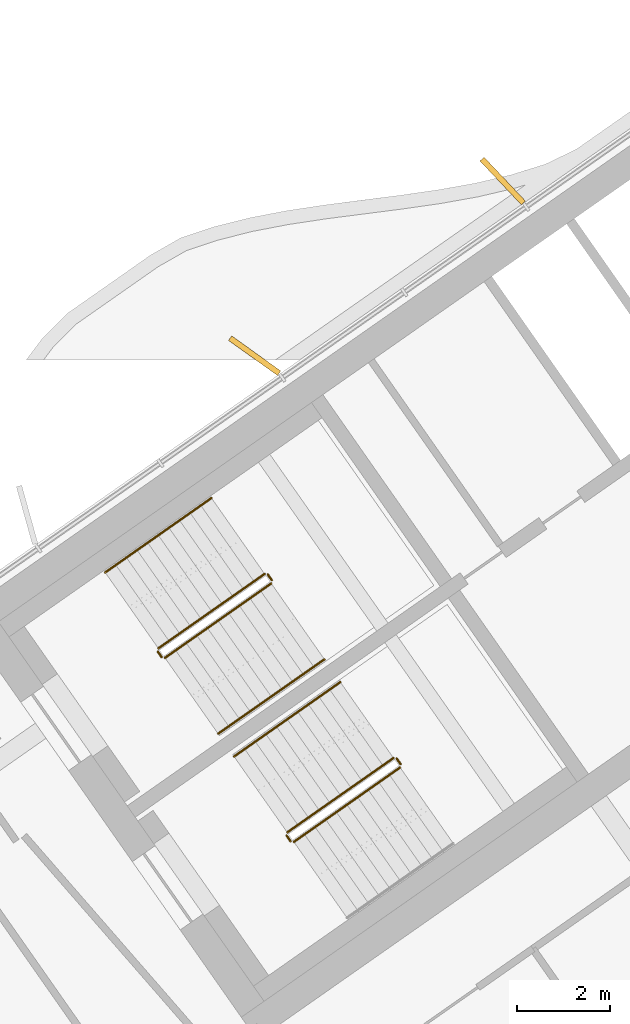
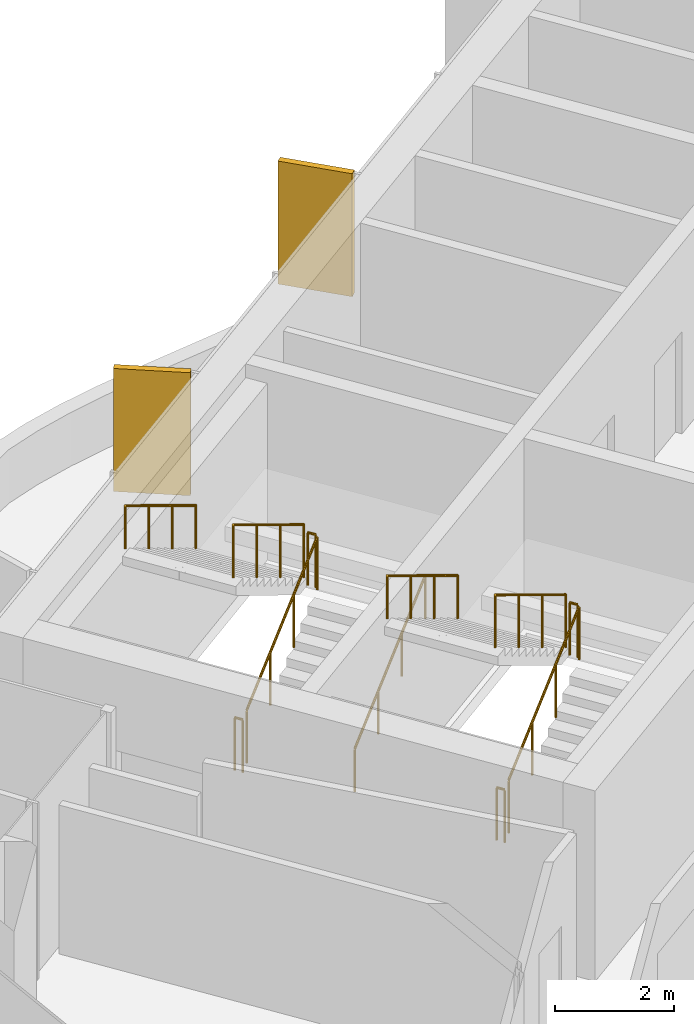
# One storey, part 14 of 17: 11 railings, 2 shading devices.
"""IFC4 building model written with IfcOpenShell, lengths in metres."""

from ifc_helpers import new_model, si_unit, direction, frame, origin, origin_2d, place, context, subcontext, project, spatial, rectangle, circle, extrude, material, layer, layer_set, type_object, element, save


model = new_model("IFC4")

# Units and contexts
model_context = context("Model", 3, precision=1e-05, world=origin(), true_north=direction((0.0, 1.0)))
body_context = subcontext(model_context, "Body", "Model", "MODEL_VIEW")
ifc_project = project(units=[si_unit("LENGTHUNIT", "METRE"), si_unit("AREAUNIT", "SQUARE_METRE"), si_unit("VOLUMEUNIT", "CUBIC_METRE"), si_unit("PLANEANGLEUNIT", "RADIAN"), si_unit("MASSUNIT", "GRAM", prefix="KILO")], contexts=[model_context])

# Site, building, storey
site_placement = place(None, origin())
site = spatial("IfcSite", under=ifc_project, at=site_placement, CompositionType="ELEMENT")
building_placement = place(site_placement, origin())
building = spatial("IfcBuilding", under=site, at=building_placement, Name="Tel Ilan Convention Tower", CompositionType="ELEMENT")
storey_placement = place(building_placement, frame((0.0, 0.0, 283.89990234375)))
storey = spatial("IfcBuildingStorey", under=building, at=storey_placement, Name="L67", CompositionType="ELEMENT", Elevation=283.89990234375)

# Shading devices
ifc_material_1 = material(Name="Aluminium, bronze anodised", Category="aluminium")
ifc_layer = layer(ifc_material_1, 0.1201171875)
ifc_layer_set = layer_set([ifc_layer], Name="FIN BRONZE 1300x120")
shading_device_type = type_object("IfcShadingDeviceType", Name="FIN BRONZE 1300x120", PredefinedType="USERDEFINED", material=ifc_layer_set)
for number, where, z_axis, x_axis, name in (
    (1, (-16.24658203125, 2.2373046875, 1.10009765625), (0.0, 0.0, 1.0), (-0.686241637865, 0.727373641577, 0.0), "FIN"),
    (2, (-21.600830078125, -1.534912109375, 1.10009765625), (0.0, 0.0, 1.0), (-0.813552070258, 0.581492071294, 0.0), "FIN"),
):
    element("IfcShadingDevice", number, at=place(storey_placement, frame(where, z_axis=z_axis, x_axis=x_axis)), inside=storey, type_object=shading_device_type, Name=name, ObjectType="FIN", PredefinedType="USERDEFINED", context=body_context, shape_type="SweptSolid", body=[
        extrude(rectangle(XDim=1.300048828125, YDim=0.1201171875, at=origin_2d()), origin(), (0.0, 0.0, 1.0), 2.52001953125),
    ])

# Railings
ifc_material_2 = material(Name="Stainless Steel Grade 316", Category="steel")
railing_type_1 = type_object("IfcRailingType", Name="Stainless Steel Stair Guard 1100 mm", PredefinedType="GUARDRAIL", material=ifc_material_2)
railing_1_placement = place(storey_placement, frame((-23.535400390625, -8.056396484375, 0.177490234375)))
element("IfcRailing", 3, at=railing_1_placement, inside=storey, type_object=railing_type_1, Name="L67 S1 stair guard 1", PredefinedType="GUARDRAIL", context=body_context, shape_type="SweptSolid", body=[
    extrude(circle(Radius=0.02392578125, at=origin_2d()), frame((0.0, 0.0, 1.076171875), z_axis=(0.692098378994, 0.484653031975, 0.534893701956), x_axis=(-0.573608623498, 0.819129505664, 0.0)), (0.0, 0.0, 1.0), 3.314208984375),
    extrude(circle(Radius=0.02099609375, at=origin_2d()), origin(), (0.0, 0.0, 1.0), 1.052001953125),
    extrude(circle(Radius=0.02099609375, at=origin_2d()), frame((0.7646484375, 0.535400390625, 0.5908203125)), (0.0, 0.0, 1.0), 1.052001953125),
    extrude(circle(Radius=0.02099609375, at=origin_2d()), frame((1.529052734375, 1.07080078125, 1.181884765625)), (0.0, 0.0, 1.0), 1.052001953125),
    extrude(circle(Radius=0.02099609375, at=origin_2d()), frame((2.293701171875, 1.606201171875, 1.772705078125)), (0.0, 0.0, 1.0), 1.052001953125),
])
railing_2_placement = place(storey_placement, frame((-21.2294921875, -6.380615234375, 1.9501953125)))
element("IfcRailing", 4, at=railing_2_placement, inside=storey, type_object=railing_type_1, Name="L67 S1 stair guard 2", PredefinedType="GUARDRAIL", context=body_context, shape_type="SweptSolid", body=[
    extrude(circle(Radius=0.02392578125, at=origin_2d()), frame((0.0, 0.0, 1.076171875), z_axis=(-0.573353020881, 0.819308436089, 0.0), x_axis=(-0.819308436089, -0.573353020881, 0.0)), (0.0, 0.0, 1.0), 0.14990234375),
    extrude(circle(Radius=0.02099609375, at=origin_2d()), origin(), (0.0, 0.0, 1.0), 1.052001953125),
    extrude(circle(Radius=0.02099609375, at=origin_2d()), frame((-0.0859375, 0.122802734375, 0.0)), (0.0, 0.0, 1.0), 1.052001953125),
])
railing_3_placement = place(storey_placement, frame((-21.38525390625, -6.24560546875, 2.12744140625)))
element("IfcRailing", 5, at=railing_3_placement, inside=storey, type_object=railing_type_1, Name="L67 S1 stair guard 3", PredefinedType="GUARDRAIL", context=body_context, shape_type="SweptSolid", body=[
    extrude(circle(Radius=0.02392578125, at=origin_2d()), frame((0.0, 0.0, 1.076171875), z_axis=(-0.692084706163, -0.484621375041, 0.534940073605), x_axis=(0.573591086599, -0.819141785879, 0.0)), (0.0, 0.0, 1.0), 3.313720703125),
    extrude(circle(Radius=0.02099609375, at=origin_2d()), origin(), (0.0, 0.0, 1.0), 1.052001953125),
    extrude(circle(Radius=0.02099609375, at=origin_2d()), frame((-0.764404296875, -0.535400390625, 0.5908203125)), (0.0, 0.0, 1.0), 1.052001953125),
    extrude(circle(Radius=0.02099609375, at=origin_2d()), frame((-1.529052734375, -1.070556640625, 1.181884765625)), (0.0, 0.0, 1.0), 1.052001953125),
    extrude(circle(Radius=0.02099609375, at=origin_2d()), frame((-2.29345703125, -1.60595703125, 1.772705078125)), (0.0, 0.0, 1.0), 1.052001953125),
])
railing_4_placement = place(storey_placement, frame((-23.60498046875, -8.0439453125, 0.0)))
element("IfcRailing", 6, at=railing_4_placement, inside=storey, type_object=railing_type_1, Name="L67 S1 stair guard 4", PredefinedType="GUARDRAIL", context=body_context, shape_type="SweptSolid", body=[
    extrude(circle(Radius=0.02392578125, at=origin_2d()), frame((0.0, 0.0, 1.076171875), z_axis=(-0.574444878118, 0.818543268254, 0.0), x_axis=(-0.818543268254, -0.574444878118, 0.0)), (0.0, 0.0, 1.0), 0.150146484375),
    extrude(circle(Radius=0.02099609375, at=origin_2d()), origin(), (0.0, 0.0, 1.0), 1.052001953125),
    extrude(circle(Radius=0.02099609375, at=origin_2d()), frame((-0.086181640625, 0.122802734375, 0.0)), (0.0, 0.0, 1.0), 1.052001953125),
])
railing_5_placement = place(storey_placement, frame((-20.753662109375, -12.029296875, 0.177490234375)))
element("IfcRailing", 7, at=railing_5_placement, inside=storey, type_object=railing_type_1, Name="L67 S2 stair guard 1", PredefinedType="GUARDRAIL", context=body_context, shape_type="SweptSolid", body=[
    extrude(circle(Radius=0.02392578125, at=origin_2d()), frame((0.0, 0.0, 1.076171875), z_axis=(0.692098378994, 0.484653031975, 0.534893701956), x_axis=(-0.573608623498, 0.819129505664, 0.0)), (0.0, 0.0, 1.0), 3.314208984375),
    extrude(circle(Radius=0.02099609375, at=origin_2d()), origin(), (0.0, 0.0, 1.0), 1.052001953125),
    extrude(circle(Radius=0.02099609375, at=origin_2d()), frame((0.7646484375, 0.535400390625, 0.5908203125)), (0.0, 0.0, 1.0), 1.052001953125),
    extrude(circle(Radius=0.02099609375, at=origin_2d()), frame((1.529052734375, 1.07080078125, 1.181884765625)), (0.0, 0.0, 1.0), 1.052001953125),
    extrude(circle(Radius=0.02099609375, at=origin_2d()), frame((2.293701171875, 1.606201171875, 1.772705078125)), (0.0, 0.0, 1.0), 1.052001953125),
])
railing_6_placement = place(storey_placement, frame((-18.44775390625, -10.353515625, 1.9501953125)))
element("IfcRailing", 8, at=railing_6_placement, inside=storey, type_object=railing_type_1, Name="L67 S2 stair guard 2", PredefinedType="GUARDRAIL", context=body_context, shape_type="SweptSolid", body=[
    extrude(circle(Radius=0.02392578125, at=origin_2d()), frame((0.0, 0.0, 1.076171875), z_axis=(-0.573353020881, 0.819308436089, 0.0), x_axis=(-0.819308436089, -0.573353020881, 0.0)), (0.0, 0.0, 1.0), 0.14990234375),
    extrude(circle(Radius=0.02099609375, at=origin_2d()), origin(), (0.0, 0.0, 1.0), 1.052001953125),
    extrude(circle(Radius=0.02099609375, at=origin_2d()), frame((-0.0859375, 0.122802734375, 0.0)), (0.0, 0.0, 1.0), 1.052001953125),
])
railing_7_placement = place(storey_placement, frame((-18.603271484375, -10.218505859375, 2.12744140625)))
element("IfcRailing", 9, at=railing_7_placement, inside=storey, type_object=railing_type_1, Name="L67 S2 stair guard 3", PredefinedType="GUARDRAIL", context=body_context, shape_type="SweptSolid", body=[
    extrude(circle(Radius=0.02392578125, at=origin_2d()), frame((0.0, 0.0, 1.076171875), z_axis=(-0.692123088272, -0.484596665743, 0.534912798717), x_axis=(0.573550118428, -0.819170471667, 0.0)), (0.0, 0.0, 1.0), 3.31396484375),
    extrude(circle(Radius=0.02099609375, at=origin_2d()), origin(), (0.0, 0.0, 1.0), 1.052001953125),
    extrude(circle(Radius=0.02099609375, at=origin_2d()), frame((-0.7646484375, -0.535400390625, 0.5908203125)), (0.0, 0.0, 1.0), 1.052001953125),
    extrude(circle(Radius=0.02099609375, at=origin_2d()), frame((-1.529052734375, -1.070556640625, 1.181884765625)), (0.0, 0.0, 1.0), 1.052001953125),
    extrude(circle(Radius=0.02099609375, at=origin_2d()), frame((-2.293701171875, -1.60595703125, 1.772705078125)), (0.0, 0.0, 1.0), 1.052001953125),
])
railing_8_placement = place(storey_placement, frame((-20.8232421875, -12.016845703125, 0.0)))
element("IfcRailing", 10, at=railing_8_placement, inside=storey, type_object=railing_type_1, Name="L67 S2 stair guard 4", PredefinedType="GUARDRAIL", context=body_context, shape_type="SweptSolid", body=[
    extrude(circle(Radius=0.02392578125, at=origin_2d()), frame((0.0, 0.0, 1.076171875), z_axis=(-0.573353020881, 0.819308436089, 0.0), x_axis=(-0.819308436089, -0.573353020881, 0.0)), (0.0, 0.0, 1.0), 0.14990234375),
    extrude(circle(Radius=0.02099609375, at=origin_2d()), origin(), (0.0, 0.0, 1.0), 1.052001953125),
    extrude(circle(Radius=0.02099609375, at=origin_2d()), frame((-0.0859375, 0.122802734375, 0.0)), (0.0, 0.0, 1.0), 1.052001953125),
])
ifc_material_3 = material(Name="Stainless Steel Grade 316", Category="steel")
railing_type_2 = type_object("IfcRailingType", Name="Stainless Steel Stair Handrail 900 mm", PredefinedType="HANDRAIL", material=ifc_material_3)
railing_9_placement = place(storey_placement, frame((-22.38818359375, -9.694580078125, 0.177490234375)))
element("IfcRailing", 11, at=railing_9_placement, inside=storey, type_object=railing_type_2, Name="L67 S1 stair handrail 1", PredefinedType="HANDRAIL", context=body_context, shape_type="SweptSolid", body=[
    extrude(circle(Radius=0.02392578125, at=origin_2d()), frame((0.0, 0.0, 0.8759765625), z_axis=(0.692084706163, 0.484621375041, 0.534940073605), x_axis=(-0.573591086599, 0.819141785879, 0.0)), (0.0, 0.0, 1.0), 3.313720703125),
    extrude(circle(Radius=0.02099609375, at=origin_2d()), origin(), (0.0, 0.0, 1.0), 0.851806640625),
    extrude(circle(Radius=0.02099609375, at=origin_2d()), frame((0.764404296875, 0.535400390625, 0.5908203125)), (0.0, 0.0, 1.0), 0.851806640625),
    extrude(circle(Radius=0.02099609375, at=origin_2d()), frame((1.529052734375, 1.070556640625, 1.181884765625)), (0.0, 0.0, 1.0), 0.851806640625),
    extrude(circle(Radius=0.02099609375, at=origin_2d()), frame((2.29345703125, 1.60595703125, 1.772705078125)), (0.0, 0.0, 1.0), 0.851806640625),
])
for number, where, name in (
    (12, (-22.5322265625, -4.607177734375, 2.12744140625), "L67 S1 stair handrail 2"),
    (13, (-19.75048828125, -8.580078125, 2.12744140625), "L67 S2 stair handrail 2"),
):
    element("IfcRailing", number, at=place(storey_placement, frame(where)), inside=storey, type_object=railing_type_2, Name=name, PredefinedType="HANDRAIL", context=body_context, shape_type="SweptSolid", body=[
        extrude(circle(Radius=0.02392578125, at=origin_2d()), frame((0.0, 0.0, 0.8759765625), z_axis=(-0.692123088272, -0.484596665743, 0.534912798717), x_axis=(0.573550118428, -0.819170471667, 0.0)), (0.0, 0.0, 1.0), 3.31396484375),
        extrude(circle(Radius=0.02099609375, at=origin_2d()), origin(), (0.0, 0.0, 1.0), 0.851806640625),
        extrude(circle(Radius=0.02099609375, at=origin_2d()), frame((-0.7646484375, -0.535400390625, 0.5908203125)), (0.0, 0.0, 1.0), 0.851806640625),
        extrude(circle(Radius=0.02099609375, at=origin_2d()), frame((-1.529052734375, -1.070556640625, 1.181884765625)), (0.0, 0.0, 1.0), 0.851806640625),
        extrude(circle(Radius=0.02099609375, at=origin_2d()), frame((-2.293701171875, -1.60595703125, 1.772705078125)), (0.0, 0.0, 1.0), 0.851806640625),
    ])

save(model, "model.ifc")
